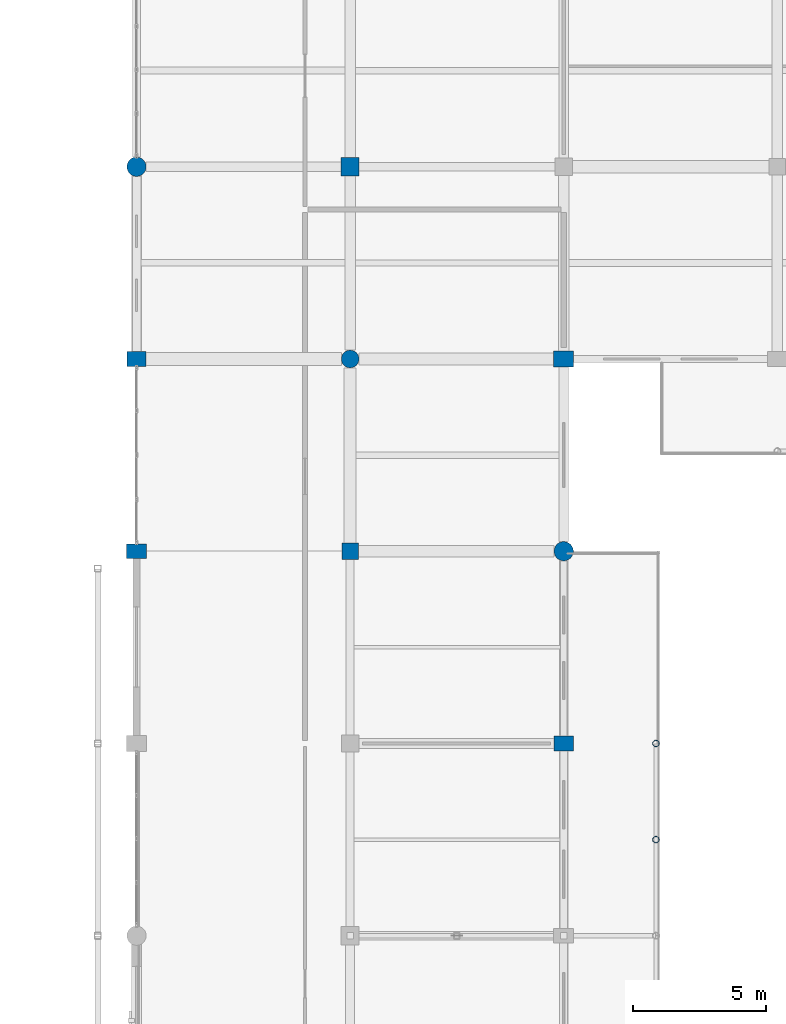
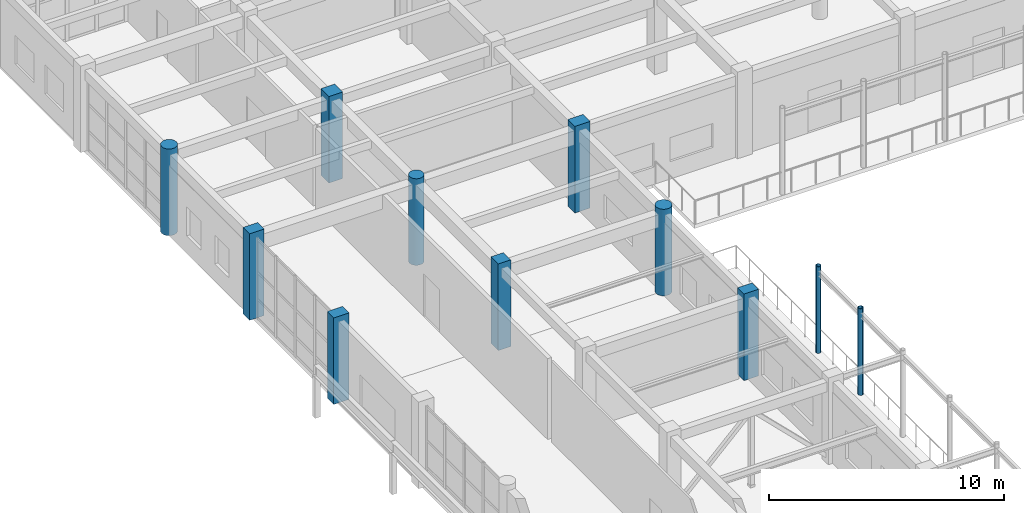
# One storey, part 17 of 160: 11 columns.
"""IFC4 building model written with IfcOpenShell, lengths in metres."""

from ifc_helpers import new_model, si_unit, direction, frame, origin, origin_2d, place, context, subcontext, project, spatial, rectangle, circle, hollow_circle, extrude, material, material_profile, profile_set, type_object, element, save


model = new_model("IFC4")

# Units and contexts
model_context = context("Model", 3, precision=1e-05, world=origin(), true_north=direction((0.0, 1.0)))
body_context = subcontext(model_context, "Body", "Model", "MODEL_VIEW")
ifc_project = project(units=[si_unit("LENGTHUNIT", "METRE"), si_unit("AREAUNIT", "SQUARE_METRE"), si_unit("VOLUMEUNIT", "CUBIC_METRE"), si_unit("PLANEANGLEUNIT", "RADIAN"), si_unit("MASSUNIT", "GRAM", prefix="KILO")], contexts=[model_context])

# Site, building, storey
site_placement = place(None, origin())
site = spatial("IfcSite", under=ifc_project, at=site_placement, CompositionType="ELEMENT")
building_placement = place(site_placement, origin())
building = spatial("IfcBuilding", under=site, at=building_placement, Name="Kharva Crest Polytechnic", CompositionType="ELEMENT")
storey_placement = place(building_placement, frame((0.0, 0.0, 4.5)))
storey = spatial("IfcBuildingStorey", under=building, at=storey_placement, Name="L01", CompositionType="ELEMENT", Elevation=4.5)

# Columns
ifc_material_1 = material(Name="Concrete C40/50", Category="concrete")
ifc_material_profile_1 = material_profile(ifc_material_1, rectangle(XDim=0.719970703125, YDim=0.550048828125, at=origin_2d()), Name="RECT 720 X 550")
ifc_profile_set_1 = profile_set([ifc_material_profile_1], Name="Concrete C40/50")
column_type_1 = type_object("IfcColumnType", Name="COL-EXT-720X550", PredefinedType="COLUMN", material=ifc_profile_set_1)
for number, where, z_axis, x_axis, name in (
    (1, (32.0, 100.39990234375, 0.0), (0.0, 0.0, 1.0), (1.0, 0.0, 0.0), "L01 Column 5/P"),
    (2, (48.0, 86.0, 0.0), (0.0, 0.0, 1.0), (1.0, 0.0, 0.0), "L01 Column 7/M"),
):
    element("IfcColumn", number, at=place(storey_placement, frame(where, z_axis=z_axis, x_axis=x_axis)), inside=storey, type_object=column_type_1, Name=name, PredefinedType="COLUMN", context=body_context, shape_type="SweptSolid", body=[
        extrude(rectangle(XDim=0.719970703125, YDim=0.550048828125, at=origin_2d()), origin(), (0.0, 0.0, 1.0), 4.5),
    ])
ifc_material_profile_2 = material_profile(ifc_material_1, rectangle(XDim=0.75, YDim=0.550048828125, at=origin_2d()), Name="RECT 750 X 550")
ifc_profile_set_2 = profile_set([ifc_material_profile_2], Name="Concrete C40/50")
column_type_2 = type_object("IfcColumnType", Name="COL-EXT-750X550", PredefinedType="COLUMN", material=ifc_profile_set_2)
column_1_placement = place(storey_placement, frame((32.0, 93.199951171875, 0.0), z_axis=(0.0, 0.0, 1.0), x_axis=(1.0, 0.0, 0.0)))
element("IfcColumn", 3, at=column_1_placement, inside=storey, type_object=column_type_2, Name="L01 Column 5/N", PredefinedType="COLUMN", context=body_context, shape_type="SweptSolid", body=[
    extrude(rectangle(XDim=0.75, YDim=0.550048828125, at=origin_2d()), origin(), (0.0, 0.0, 1.0), 4.5),
])
ifc_material_profile_3 = material_profile(ifc_material_1, rectangle(XDim=0.75, YDim=0.60009765625, at=origin_2d()), Name="RECT 750 X 600")
ifc_profile_set_3 = profile_set([ifc_material_profile_3], Name="Concrete C40/50")
column_type_3 = type_object("IfcColumnType", Name="COL-EXT-750X600", PredefinedType="COLUMN", material=ifc_profile_set_3)
column_2_placement = place(storey_placement, frame((48.0, 100.39990234375, 0.0), z_axis=(0.0, 0.0, 1.0), x_axis=(1.0, 0.0, 0.0)))
element("IfcColumn", 4, at=column_2_placement, inside=storey, type_object=column_type_3, Name="L01 Column 7/P", PredefinedType="COLUMN", context=body_context, shape_type="SweptSolid", body=[
    extrude(rectangle(XDim=0.75, YDim=0.60009765625, at=origin_2d()), origin(), (0.0, 0.0, 1.0), 4.5),
])
ifc_material_profile_4 = material_profile(ifc_material_1, circle(Radius=0.360107421875, at=origin_2d()), Name="DIA 720")
ifc_profile_set_4 = profile_set([ifc_material_profile_4], Name="Concrete C40/50")
column_type_4 = type_object("IfcColumnType", Name="COL-EXT-DIA720", PredefinedType="COLUMN", material=ifc_profile_set_4)
for number, where, z_axis, x_axis, name in (
    (5, (32.0, 107.60009765625, 0.0), (0.0, 0.0, 1.0), (1.0, 0.0, 0.0), "L01 Column 5/Q"),
    (6, (48.0, 93.199951171875, 0.0), (0.0, 0.0, 1.0), (1.0, 0.0, 0.0), "L01 Column 7/N"),
):
    element("IfcColumn", number, at=place(storey_placement, frame(where, z_axis=z_axis, x_axis=x_axis)), inside=storey, type_object=column_type_4, Name=name, PredefinedType="COLUMN", context=body_context, shape_type="SweptSolid", body=[
        extrude(circle(Radius=0.360107421875, at=origin_2d()), origin(), (0.0, 0.0, 1.0), 4.5),
    ])
ifc_material_profile_5 = material_profile(ifc_material_1, rectangle(XDim=0.6201171875, YDim=0.6201171875, at=origin_2d()), Name="RECT 620 X 620")
ifc_profile_set_5 = profile_set([ifc_material_profile_5], Name="Concrete C40/50")
column_type_5 = type_object("IfcColumnType", Name="COL-INT-620X620", PredefinedType="COLUMN", material=ifc_profile_set_5)
column_3_placement = place(storey_placement, frame((40.0, 93.199951171875, 0.0), z_axis=(0.0, 0.0, 1.0), x_axis=(1.0, 0.0, 0.0)))
element("IfcColumn", 7, at=column_3_placement, inside=storey, type_object=column_type_5, Name="L01 Column 6/N", PredefinedType="COLUMN", context=body_context, shape_type="SweptSolid", body=[
    extrude(rectangle(XDim=0.6201171875, YDim=0.6201171875, at=origin_2d()), origin(), (0.0, 0.0, 1.0), 4.5),
])
ifc_material_profile_6 = material_profile(ifc_material_1, rectangle(XDim=0.679931640625, YDim=0.679931640625, at=origin_2d()), Name="RECT 680 X 680")
ifc_profile_set_6 = profile_set([ifc_material_profile_6], Name="Concrete C40/50")
column_type_6 = type_object("IfcColumnType", Name="COL-INT-680X680", PredefinedType="COLUMN", material=ifc_profile_set_6)
column_4_placement = place(storey_placement, frame((40.0, 107.60009765625, 0.0), z_axis=(0.0, 0.0, 1.0), x_axis=(1.0, 0.0, 0.0)))
element("IfcColumn", 8, at=column_4_placement, inside=storey, type_object=column_type_6, Name="L01 Column 6/Q", PredefinedType="COLUMN", context=body_context, shape_type="SweptSolid", body=[
    extrude(rectangle(XDim=0.679931640625, YDim=0.679931640625, at=origin_2d()), origin(), (0.0, 0.0, 1.0), 4.5),
])
ifc_material_profile_7 = material_profile(ifc_material_1, circle(Radius=0.330078125, at=origin_2d()), Name="DIA 660")
ifc_profile_set_7 = profile_set([ifc_material_profile_7], Name="Concrete C40/50")
column_type_7 = type_object("IfcColumnType", Name="COL-INT-DIA660", PredefinedType="COLUMN", material=ifc_profile_set_7)
column_5_placement = place(storey_placement, frame((40.0, 100.39990234375, 0.0), z_axis=(0.0, 0.0, 1.0), x_axis=(1.0, 0.0, 0.0)))
element("IfcColumn", 9, at=column_5_placement, inside=storey, type_object=column_type_7, Name="L01 Column 6/P", PredefinedType="COLUMN", context=body_context, shape_type="SweptSolid", body=[
    extrude(circle(Radius=0.330078125, at=origin_2d()), origin(), (0.0, 0.0, 1.0), 4.5),
])
ifc_material_2 = material(Name="Steel S355", Category="steel")
ifc_material_profile_8 = material_profile(ifc_material_2, hollow_circle(Radius=0.122314453125, WallThickness=0.010009765625, at=origin_2d()), Name="CHS 244.5X10.0")
ifc_profile_set_8 = profile_set([ifc_material_profile_8], Name="Steel S355")
column_type_8 = type_object("IfcColumnType", Name="COL-STL-CHS244", PredefinedType="COLUMN", material=ifc_profile_set_8)
for number, where, z_axis, x_axis, name in (
    (10, (51.449951171875, 86.0, 0.0), (0.0, 0.0, 1.0), (1.0, 0.0, 0.0), "L01 Colonnade Column VW06"),
    (11, (51.449951171875, 82.39990234375, 0.0), (0.0, 0.0, 1.0), (1.0, 0.0, 0.0), "L01 Colonnade Mid Column VWM05"),
):
    element("IfcColumn", number, at=place(storey_placement, frame(where, z_axis=z_axis, x_axis=x_axis)), inside=storey, type_object=column_type_8, Name=name, PredefinedType="COLUMN", context=body_context, shape_type="SweptSolid", body=[
        extrude(hollow_circle(Radius=0.122314453125, WallThickness=0.010009765625, at=origin_2d()), origin(), (0.0, 0.0, 1.0), 4.5),
    ])

save(model, "model.ifc")
